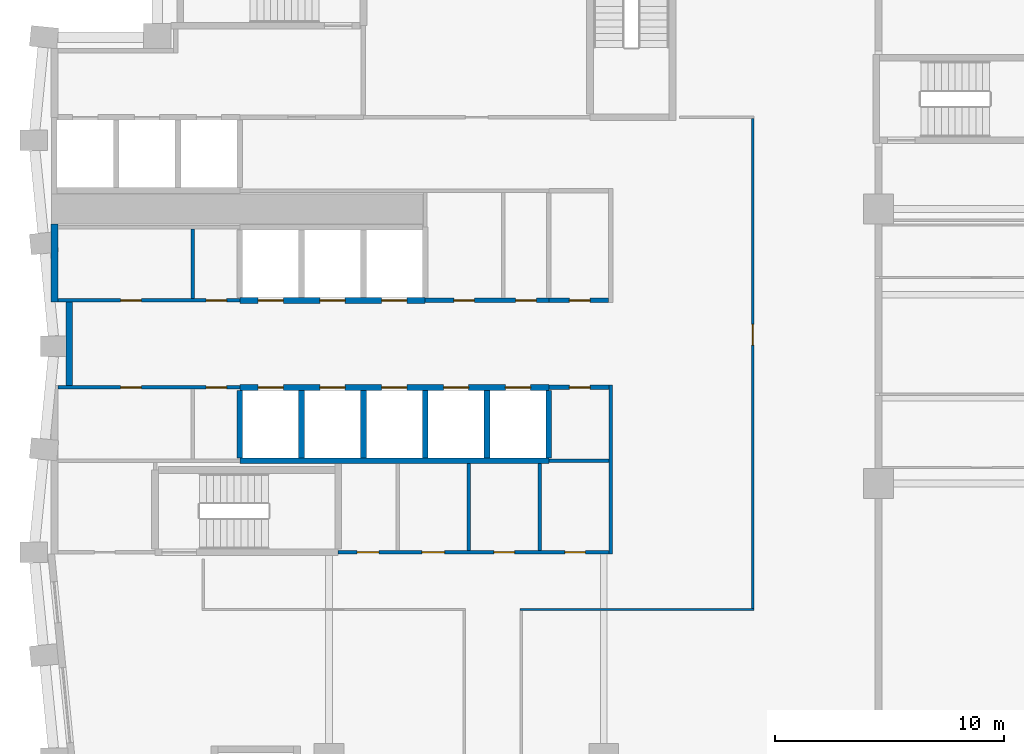
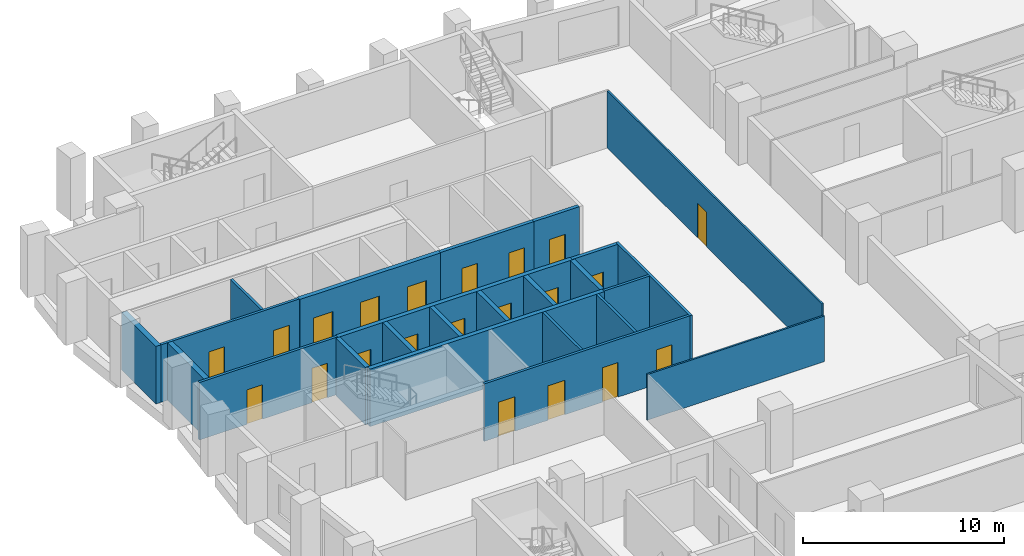
# One storey, part 5 of 11: 24 walls, 21 doors, 21 openings.
"""IFC4 building model written with IfcOpenShell, lengths in metres."""

from ifc_helpers import new_model, si_unit, direction, frame, frame_2d, origin, place, context, subcontext, project, spatial, rectangle, extrude, material, layer, layer_set, type_object, element, fill, save


model = new_model("IFC4")

# Units and contexts
model_context = context("Model", 3, precision=1e-05, world=origin(), true_north=direction((0.0, 1.0)))
body_context = subcontext(model_context, "Body", "Model", "MODEL_VIEW")
ifc_project = project(units=[si_unit("LENGTHUNIT", "METRE"), si_unit("AREAUNIT", "SQUARE_METRE"), si_unit("VOLUMEUNIT", "CUBIC_METRE"), si_unit("PLANEANGLEUNIT", "RADIAN"), si_unit("MASSUNIT", "GRAM", prefix="KILO")], contexts=[model_context])

# Site, building, storey
site_placement = place(None, origin())
site = spatial("IfcSite", under=ifc_project, at=site_placement, CompositionType="ELEMENT")
building_placement = place(site_placement, origin())
building = spatial("IfcBuilding", under=site, at=building_placement, Name="Brondeck Convention Tower", CompositionType="ELEMENT")
storey_placement = place(building_placement, frame((0.0, 0.0, 103.699951171875)))
storey = spatial("IfcBuildingStorey", under=building, at=storey_placement, Name="L24", CompositionType="ELEMENT", Elevation=103.699951171875)

# Wall, openings, doors
ifc_material_1 = material(Name="Concrete C70/85", Category="concrete")
ifc_layer_1 = layer(ifc_material_1, 0.14990234375)
ifc_layer_set_1 = layer_set([ifc_layer_1], Name="Core beam-seat wall 150 Concrete C70/85")
wall_type_1 = type_object("IfcWallType", Name="Core beam-seat wall 150 Concrete C70/85", PredefinedType="SHEAR", material=ifc_layer_set_1)
wall_1_placement = place(storey_placement, frame((12.39990234375, 36.0, 0.0), z_axis=(0.0, 0.0, 1.0), x_axis=(1.0, 0.0, 0.0)))
wall_1 = element("IfcWall", 1, at=wall_1_placement, inside=storey, type_object=wall_type_1, Name="L24 core wall", PredefinedType="SHEAR", context=body_context, shape_type="SweptSolid", body=[
    extrude(rectangle(XDim=11.8251953125, YDim=0.14990234375, at=frame_2d((5.91259765625, 0.0))), origin(), (0.0, 0.0, 1.0), 3.5),
])
opening_1_placement = place(wall_1_placement, frame((0.824951171875, 0.0, 0.0)))
opening_1 = element("IfcOpeningElement", 2, at=opening_1_placement, cuts=wall_1, Name="Opening C15-03", PredefinedType="OPENING", context=body_context, shape_type="SweptSolid", body=[
    extrude(rectangle(XDim=0.949951171875, YDim=2.10009765625, at=frame_2d((0.47509765625, 1.050048828125))), frame((0.0, 0.0849609375, 0.0), z_axis=(0.0, -1.0, 0.0), x_axis=(1.0, 0.0, 0.0)), (0.0, 0.0, 1.0), 0.169921875),
])
opening_2_placement = place(wall_1_placement, frame((3.64990234375, 0.0, 0.0)))
opening_2 = element("IfcOpeningElement", 3, at=opening_2_placement, cuts=wall_1, Name="Opening C15-04", PredefinedType="OPENING", context=body_context, shape_type="SweptSolid", body=[
    extrude(rectangle(XDim=1.0, YDim=2.10009765625, at=frame_2d((0.5, 1.050048828125))), frame((0.0, 0.0849609375, 0.0), z_axis=(0.0, -1.0, 0.0), x_axis=(1.0, 0.0, 0.0)), (0.0, 0.0, 1.0), 0.169921875),
])
opening_3_placement = place(wall_1_placement, frame((6.800048828125, 0.0, 0.0)))
opening_3 = element("IfcOpeningElement", 4, at=opening_3_placement, cuts=wall_1, Name="Opening C15-05", PredefinedType="OPENING", context=body_context, shape_type="SweptSolid", body=[
    extrude(rectangle(XDim=0.89990234375, YDim=2.10009765625, at=frame_2d((0.449951171875, 1.050048828125))), frame((0.0, 0.0849609375, 0.0), z_axis=(0.0, -1.0, 0.0), x_axis=(1.0, 0.0, 0.0)), (0.0, 0.0, 1.0), 0.169921875),
])
opening_4_placement = place(wall_1_placement, frame((9.89990234375, 0.0, 0.0)))
opening_4 = element("IfcOpeningElement", 5, at=opening_4_placement, cuts=wall_1, Name="Opening C15-06", PredefinedType="OPENING", context=body_context, shape_type="SweptSolid", body=[
    extrude(rectangle(XDim=0.89990234375, YDim=2.10009765625, at=frame_2d((0.449951171875, 1.050048828125))), frame((0.0, 0.0849609375, 0.0), z_axis=(0.0, -1.0, 0.0), x_axis=(1.0, 0.0, 0.0)), (0.0, 0.0, 1.0), 0.169921875),
])
ifc_material_2 = material(Name="Steel fire door", Category="steel")
door_type_1 = type_object("IfcDoorType", Name="Room door 1000x2100 EI 60", OperationType="NOTDEFINED", PredefinedType="DOOR", material=ifc_material_2)
door_1_placement = place(opening_2_placement, origin())
door_1 = element("IfcDoor", 6, at=door_1_placement, inside=storey, type_object=door_type_1, Name="L24 Room door FR-2", OperationType="SINGLE_SWING_LEFT", OverallHeight=2.10009765625, OverallWidth=1.0, PredefinedType="DOOR", context=body_context, shape_type="SweptSolid", body=[
    extrude(rectangle(XDim=1.0, YDim=2.10009765625, at=frame_2d((0.5, 1.050048828125))), frame((0.0, 0.02490234375, 0.0), z_axis=(0.0, -1.0, 0.0), x_axis=(1.0, 0.0, 0.0)), (0.0, 0.0, 1.0), 0.050048828125),
])
fill(opening_2, door_1)
door_type_2 = type_object("IfcDoorType", Name="Room door 900x2100 EI 60", OperationType="NOTDEFINED", PredefinedType="DOOR", material=ifc_material_2)
door_2_placement = place(opening_3_placement, origin())
door_2 = element("IfcDoor", 7, at=door_2_placement, inside=storey, type_object=door_type_2, Name="L24 Room door FR-3", OperationType="SINGLE_SWING_RIGHT", OverallHeight=2.10009765625, OverallWidth=0.89990234375, PredefinedType="DOOR", context=body_context, shape_type="SweptSolid", body=[
    extrude(rectangle(XDim=0.89990234375, YDim=2.10009765625, at=frame_2d((0.449951171875, 1.050048828125))), frame((0.0, 0.02490234375, 0.0), z_axis=(0.0, -1.0, 0.0), x_axis=(1.0, 0.0, 0.0)), (0.0, 0.0, 1.0), 0.050048828125),
])
fill(opening_3, door_2)
door_3_placement = place(opening_4_placement, origin())
door_3 = element("IfcDoor", 8, at=door_3_placement, inside=storey, type_object=door_type_2, Name="L24 Room door FR-4", OperationType="SINGLE_SWING_LEFT", OverallHeight=2.10009765625, OverallWidth=0.89990234375, PredefinedType="DOOR", context=body_context, shape_type="SweptSolid", body=[
    extrude(rectangle(XDim=0.89990234375, YDim=2.10009765625, at=frame_2d((0.449951171875, 1.050048828125))), frame((0.0, 0.02490234375, 0.0), z_axis=(0.0, -1.0, 0.0), x_axis=(1.0, 0.0, 0.0)), (0.0, 0.0, 1.0), 0.050048828125),
])
fill(opening_4, door_3)
door_type_3 = type_object("IfcDoorType", Name="Room door 950x2100 EI 60", OperationType="NOTDEFINED", PredefinedType="DOOR", material=ifc_material_2)
door_4_placement = place(opening_1_placement, origin())
door_4 = element("IfcDoor", 9, at=door_4_placement, inside=storey, type_object=door_type_3, Name="L24 Room door FR-1", OperationType="SINGLE_SWING_RIGHT", OverallHeight=2.10009765625, OverallWidth=0.949951171875, PredefinedType="DOOR", context=body_context, shape_type="SweptSolid", body=[
    extrude(rectangle(XDim=0.949951171875, YDim=2.10009765625, at=frame_2d((0.47509765625, 1.050048828125))), frame((0.0, 0.02490234375, 0.0), z_axis=(0.0, -1.0, 0.0), x_axis=(1.0, 0.0, 0.0)), (0.0, 0.0, 1.0), 0.050048828125),
])
fill(opening_1, door_4)

# Walls
ifc_layer_2 = layer(ifc_material_1, 0.300048828125)
ifc_layer_set_2 = layer_set([ifc_layer_2], Name="Core outer wall 300 Concrete C70/85")
wall_type_2 = type_object("IfcWallType", Name="Core outer wall 300 Concrete C70/85", PredefinedType="SHEAR", material=ifc_layer_set_2)
wall_2_placement = place(storey_placement, frame((0.0, 46.925048828125, 0.0), z_axis=(0.0, 0.0, 1.0), x_axis=(0.0, 1.0, 0.0)))
element("IfcWall", 10, at=wall_2_placement, inside=storey, type_object=wall_type_2, Name="L24 core wall", PredefinedType="SHEAR", context=body_context, shape_type="SweptSolid", body=[
    extrude(rectangle(XDim=3.425048828125, YDim=0.300048828125, at=frame_2d((1.71240234375, 0.0))), origin(), (0.0, 0.0, 1.0), 3.5),
])
wall_3_placement = place(storey_placement, frame((0.64990234375, 43.27490234375, 0.0), z_axis=(0.0, 0.0, 1.0), x_axis=(0.0, 1.0, 0.0)))
element("IfcWall", 11, at=wall_3_placement, inside=storey, type_object=wall_type_2, Name="L24 core wall", PredefinedType="SHEAR", context=body_context, shape_type="SweptSolid", body=[
    extrude(rectangle(XDim=3.650146484375, YDim=0.300048828125, at=frame_2d((1.8251953125, 0.0))), origin(), (0.0, 0.0, 1.0), 3.5),
])
ifc_material_3 = material(Name="Fire-rated gypsum board partition")
ifc_layer_3 = layer(ifc_material_3, 0.14990234375)
ifc_layer_set_3 = layer_set([ifc_layer_3], Name="Core partition 150 EI 60")
wall_type_3 = type_object("IfcWallType", Name="Core partition 150 EI 60", PredefinedType="PARTITIONING", material=ifc_layer_set_3)
wall_4_placement = place(storey_placement, frame((21.60009765625, 40.0, 0.0), z_axis=(0.0, 0.0, 1.0), x_axis=(1.0, 0.0, 0.0)))
element("IfcWall", 12, at=wall_4_placement, inside=storey, type_object=wall_type_3, Name="L24 core wall", PredefinedType="PARTITIONING", context=body_context, shape_type="SweptSolid", body=[
    extrude(rectangle(XDim=2.625, YDim=0.14990234375, at=frame_2d((1.3125, 0.0))), origin(), (0.0, 0.0, 1.0), 3.5),
])

# Wall, openings, doors
wall_5_placement = place(storey_placement, frame((0.14990234375, 43.199951171875, 0.0), z_axis=(0.0, 0.0, 1.0), x_axis=(1.0, 0.0, 0.0)))
wall_5 = element("IfcWall", 13, at=wall_5_placement, inside=storey, type_object=wall_type_3, Name="L24 core wall", PredefinedType="PARTITIONING", context=body_context, shape_type="SweptSolid", body=[
    extrude(rectangle(XDim=7.9501953125, YDim=0.14990234375, at=frame_2d((3.97509765625, 0.0))), origin(), (0.0, 0.0, 1.0), 3.5),
])
opening_5_placement = place(wall_5_placement, frame((2.75, 0.0, 0.0)))
opening_5 = element("IfcOpeningElement", 14, at=opening_5_placement, cuts=wall_5, Name="Opening C15-12", PredefinedType="OPENING", context=body_context, shape_type="SweptSolid", body=[
    extrude(rectangle(XDim=0.89990234375, YDim=2.10009765625, at=frame_2d((0.449951171875, 1.050048828125))), frame((0.0, 0.0849609375, 0.0), z_axis=(0.0, -1.0, 0.0), x_axis=(1.0, 0.0, 0.0)), (0.0, 0.0, 1.0), 0.169921875),
])
opening_6_placement = place(wall_5_placement, frame((6.47509765625, 0.0, 0.0)))
opening_6 = element("IfcOpeningElement", 15, at=opening_6_placement, cuts=wall_5, Name="Opening C15-13", PredefinedType="OPENING", context=body_context, shape_type="SweptSolid", body=[
    extrude(rectangle(XDim=0.89990234375, YDim=2.10009765625, at=frame_2d((0.449951171875, 1.050048828125))), frame((0.0, 0.0849609375, 0.0), z_axis=(0.0, -1.0, 0.0), x_axis=(1.0, 0.0, 0.0)), (0.0, 0.0, 1.0), 0.169921875),
])
door_5_placement = place(opening_5_placement, origin())
door_5 = element("IfcDoor", 16, at=door_5_placement, inside=storey, type_object=door_type_2, Name="L24 Room door FZ-S-0-1", OperationType="SINGLE_SWING_LEFT", OverallHeight=2.10009765625, OverallWidth=0.89990234375, PredefinedType="DOOR", context=body_context, shape_type="SweptSolid", body=[
    extrude(rectangle(XDim=0.89990234375, YDim=2.10009765625, at=frame_2d((0.449951171875, 1.050048828125))), frame((0.0, 0.02490234375, 0.0), z_axis=(0.0, -1.0, 0.0), x_axis=(1.0, 0.0, 0.0)), (0.0, 0.0, 1.0), 0.050048828125),
])
fill(opening_5, door_5)
door_6_placement = place(opening_6_placement, origin())
door_6 = element("IfcDoor", 17, at=door_6_placement, inside=storey, type_object=door_type_2, Name="L24 Room door FZ-S-0-2", OperationType="SINGLE_SWING_RIGHT", OverallHeight=2.10009765625, OverallWidth=0.89990234375, PredefinedType="DOOR", context=body_context, shape_type="SweptSolid", body=[
    extrude(rectangle(XDim=0.89990234375, YDim=2.10009765625, at=frame_2d((0.449951171875, 1.050048828125))), frame((0.0, 0.02490234375, 0.0), z_axis=(0.0, -1.0, 0.0), x_axis=(1.0, 0.0, 0.0)), (0.0, 0.0, 1.0), 0.050048828125),
])
fill(opening_6, door_6)

wall_6_placement = place(storey_placement, frame((0.14990234375, 47.0, 0.0), z_axis=(0.0, 0.0, 1.0), x_axis=(1.0, 0.0, 0.0)))
wall_6 = element("IfcWall", 18, at=wall_6_placement, inside=storey, type_object=wall_type_3, Name="L24 core wall", PredefinedType="PARTITIONING", context=body_context, shape_type="SweptSolid", body=[
    extrude(rectangle(XDim=7.9501953125, YDim=0.14990234375, at=frame_2d((3.97509765625, 0.0))), origin(), (0.0, 0.0, 1.0), 3.5),
])
opening_7_placement = place(wall_6_placement, frame((2.75, 0.0, 0.0)))
opening_7 = element("IfcOpeningElement", 19, at=opening_7_placement, cuts=wall_6, Name="Opening C15-08", PredefinedType="OPENING", context=body_context, shape_type="SweptSolid", body=[
    extrude(rectangle(XDim=0.89990234375, YDim=2.10009765625, at=frame_2d((0.449951171875, 1.050048828125))), frame((0.0, 0.0849609375, 0.0), z_axis=(0.0, -1.0, 0.0), x_axis=(1.0, 0.0, 0.0)), (0.0, 0.0, 1.0), 0.169921875),
])
opening_8_placement = place(wall_6_placement, frame((6.47509765625, 0.0, 0.0)))
opening_8 = element("IfcOpeningElement", 20, at=opening_8_placement, cuts=wall_6, Name="Opening C15-09", PredefinedType="OPENING", context=body_context, shape_type="SweptSolid", body=[
    extrude(rectangle(XDim=0.89990234375, YDim=2.10009765625, at=frame_2d((0.449951171875, 1.050048828125))), frame((0.0, 0.0849609375, 0.0), z_axis=(0.0, -1.0, 0.0), x_axis=(1.0, 0.0, 0.0)), (0.0, 0.0, 1.0), 0.169921875),
])
door_7_placement = place(opening_7_placement, origin())
door_7 = element("IfcDoor", 21, at=door_7_placement, inside=storey, type_object=door_type_2, Name="L24 Room door FZ-N-0-1", OperationType="SINGLE_SWING_RIGHT", OverallHeight=2.10009765625, OverallWidth=0.89990234375, PredefinedType="DOOR", context=body_context, shape_type="SweptSolid", body=[
    extrude(rectangle(XDim=0.89990234375, YDim=2.10009765625, at=frame_2d((0.449951171875, 1.050048828125))), frame((0.0, 0.02490234375, 0.0), z_axis=(0.0, -1.0, 0.0), x_axis=(1.0, 0.0, 0.0)), (0.0, 0.0, 1.0), 0.050048828125),
])
fill(opening_7, door_7)
door_8_placement = place(opening_8_placement, origin())
door_8 = element("IfcDoor", 22, at=door_8_placement, inside=storey, type_object=door_type_2, Name="L24 Room door FZ-N-0-2", OperationType="SINGLE_SWING_LEFT", OverallHeight=2.10009765625, OverallWidth=0.89990234375, PredefinedType="DOOR", context=body_context, shape_type="SweptSolid", body=[
    extrude(rectangle(XDim=0.89990234375, YDim=2.10009765625, at=frame_2d((0.449951171875, 1.050048828125))), frame((0.0, 0.02490234375, 0.0), z_axis=(0.0, -1.0, 0.0), x_axis=(1.0, 0.0, 0.0)), (0.0, 0.0, 1.0), 0.050048828125),
])
fill(opening_8, door_8)

# Walls
wall_7_placement = place(storey_placement, frame((6.050048828125, 47.074951171875, 0.0), z_axis=(0.0, 0.0, 1.0), x_axis=(0.0, 1.0, 0.0)))
element("IfcWall", 23, at=wall_7_placement, inside=storey, type_object=wall_type_3, Name="L24 core wall", PredefinedType="PARTITIONING", context=body_context, shape_type="SweptSolid", body=[
    extrude(rectangle(XDim=3.050048828125, YDim=0.14990234375, at=frame_2d((1.52490234375, 0.0))), origin(), (0.0, 0.0, 1.0), 3.5),
])
for number, where, z_axis, x_axis, name in (
    (24, (18.10009765625, 36.074951171875, 0.0), (0.0, 0.0, 1.0), (0.0, 1.0, 0.0), "L24 core wall"),
    (25, (21.199951171875, 36.074951171875, 0.0), (0.0, 0.0, 1.0), (0.0, 1.0, 0.0), "L24 core wall"),
):
    element("IfcWall", number, at=place(storey_placement, frame(where, z_axis=z_axis, x_axis=x_axis)), inside=storey, type_object=wall_type_3, Name=name, PredefinedType="PARTITIONING", context=body_context, shape_type="SweptSolid", body=[
        extrude(rectangle(XDim=3.800048828125, YDim=0.14990234375, at=frame_2d((1.89990234375, 0.0))), origin(), (0.0, 0.0, 1.0), 3.5),
    ])
wall_8_placement = place(storey_placement, frame((24.300048828125, 35.925048828125, 0.0), z_axis=(0.0, 0.0, 1.0), x_axis=(0.0, 1.0, 0.0)))
element("IfcWall", 26, at=wall_8_placement, inside=storey, type_object=wall_type_3, Name="L24 core wall", PredefinedType="PARTITIONING", context=body_context, shape_type="SweptSolid", body=[
    extrude(rectangle(XDim=7.375, YDim=0.14990234375, at=frame_2d((3.6875, 0.0))), origin(), (0.0, 0.0, 1.0), 3.5),
])

# Wall, opening, door
ifc_layer_4 = layer(ifc_material_3, 0.199951171875)
ifc_layer_set_4 = layer_set([ifc_layer_4], Name="Lift lobby wall 200 EI 60")
wall_type_4 = type_object("IfcWallType", Name="Lift lobby wall 200 EI 60", PredefinedType="PARTITIONING", material=ifc_layer_set_4)
wall_9_placement = place(storey_placement, frame((21.60009765625, 43.199951171875, 0.0), z_axis=(0.0, 0.0, 1.0), x_axis=(1.0, 0.0, 0.0)))
wall_9 = element("IfcWall", 27, at=wall_9_placement, inside=storey, type_object=wall_type_4, Name="L24 core wall", PredefinedType="PARTITIONING", context=body_context, shape_type="SweptSolid", body=[
    extrude(rectangle(XDim=2.625, YDim=0.199951171875, at=frame_2d((1.3125, 0.0))), origin(), (0.0, 0.0, 1.0), 3.5),
])
opening_9_placement = place(wall_9_placement, frame((0.89990234375, 0.0, 0.0)))
opening_9 = element("IfcOpeningElement", 28, at=opening_9_placement, cuts=wall_9, Name="Opening C15-14", PredefinedType="OPENING", context=body_context, shape_type="SweptSolid", body=[
    extrude(rectangle(XDim=0.89990234375, YDim=2.10009765625, at=frame_2d((0.449951171875, 1.050048828125))), frame((0.0, 0.10986328125, 0.0), z_axis=(0.0, -1.0, 0.0), x_axis=(1.0, 0.0, 0.0)), (0.0, 0.0, 1.0), 0.219970703125),
])
door_9_placement = place(opening_9_placement, origin())
door_9 = element("IfcDoor", 29, at=door_9_placement, inside=storey, type_object=door_type_2, Name="L24 Room door FZ-S-21.6-1", OperationType="SINGLE_SWING_RIGHT", OverallHeight=2.10009765625, OverallWidth=0.89990234375, PredefinedType="DOOR", context=body_context, shape_type="SweptSolid", body=[
    extrude(rectangle(XDim=0.89990234375, YDim=2.10009765625, at=frame_2d((0.449951171875, 1.050048828125))), frame((0.0, 0.02490234375, 0.0), z_axis=(0.0, -1.0, 0.0), x_axis=(1.0, 0.0, 0.0)), (0.0, 0.0, 1.0), 0.050048828125),
])
fill(opening_9, door_9)

# Wall, openings, doors
wall_10_placement = place(storey_placement, frame((16.199951171875, 47.0, 0.0), z_axis=(0.0, 0.0, 1.0), x_axis=(1.0, 0.0, 0.0)))
wall_10 = element("IfcWall", 30, at=wall_10_placement, inside=storey, type_object=wall_type_4, Name="L24 core wall", PredefinedType="PARTITIONING", context=body_context, shape_type="SweptSolid", body=[
    extrude(rectangle(XDim=5.400146484375, YDim=0.199951171875, at=frame_2d((2.7001953125, 0.0))), origin(), (0.0, 0.0, 1.0), 3.5),
])
opening_10_placement = place(wall_10_placement, frame((1.25, 0.0, 0.0)))
opening_10 = element("IfcOpeningElement", 31, at=opening_10_placement, cuts=wall_10, Name="Opening C15-10", PredefinedType="OPENING", context=body_context, shape_type="SweptSolid", body=[
    extrude(rectangle(XDim=0.89990234375, YDim=2.10009765625, at=frame_2d((0.449951171875, 1.050048828125))), frame((0.0, 0.10986328125, 0.0), z_axis=(0.0, -1.0, 0.0), x_axis=(1.0, 0.0, 0.0)), (0.0, 0.0, 1.0), 0.219970703125),
])
opening_11_placement = place(wall_10_placement, frame((3.949951171875, 0.0, 0.0)))
opening_11 = element("IfcOpeningElement", 32, at=opening_11_placement, cuts=wall_10, Name="Opening C15-11", PredefinedType="OPENING", context=body_context, shape_type="SweptSolid", body=[
    extrude(rectangle(XDim=0.89990234375, YDim=2.10009765625, at=frame_2d((0.449951171875, 1.050048828125))), frame((0.0, 0.10986328125, 0.0), z_axis=(0.0, -1.0, 0.0), x_axis=(1.0, 0.0, 0.0)), (0.0, 0.0, 1.0), 0.219970703125),
])
door_10_placement = place(opening_10_placement, origin())
door_10 = element("IfcDoor", 33, at=door_10_placement, inside=storey, type_object=door_type_2, Name="L24 Room door FZ-N-16.2-1", OperationType="SINGLE_SWING_LEFT", OverallHeight=2.10009765625, OverallWidth=0.89990234375, PredefinedType="DOOR", context=body_context, shape_type="SweptSolid", body=[
    extrude(rectangle(XDim=0.89990234375, YDim=2.10009765625, at=frame_2d((0.449951171875, 1.050048828125))), frame((0.0, 0.02490234375, 0.0), z_axis=(0.0, -1.0, 0.0), x_axis=(1.0, 0.0, 0.0)), (0.0, 0.0, 1.0), 0.050048828125),
])
fill(opening_10, door_10)
door_11_placement = place(opening_11_placement, origin())
door_11 = element("IfcDoor", 34, at=door_11_placement, inside=storey, type_object=door_type_2, Name="L24 Room door FZ-N-16.2-2", OperationType="SINGLE_SWING_RIGHT", OverallHeight=2.10009765625, OverallWidth=0.89990234375, PredefinedType="DOOR", context=body_context, shape_type="SweptSolid", body=[
    extrude(rectangle(XDim=0.89990234375, YDim=2.10009765625, at=frame_2d((0.449951171875, 1.050048828125))), frame((0.0, 0.02490234375, 0.0), z_axis=(0.0, -1.0, 0.0), x_axis=(1.0, 0.0, 0.0)), (0.0, 0.0, 1.0), 0.050048828125),
])
fill(opening_11, door_11)

# Wall
ifc_layer_5 = layer(ifc_material_1, 0.25)
ifc_layer_set_5 = layer_set([ifc_layer_5], Name="Lift shaft wall 250 Concrete C70/85")
wall_type_5 = type_object("IfcWallType", Name="Lift shaft wall 250 Concrete C70/85", PredefinedType="SHEAR", material=ifc_layer_set_5)
wall_11_placement = place(storey_placement, frame((8.10009765625, 40.0, 0.0), z_axis=(0.0, 0.0, 1.0), x_axis=(1.0, 0.0, 0.0)))
element("IfcWall", 35, at=wall_11_placement, inside=storey, type_object=wall_type_5, Name="L24 core wall", PredefinedType="SHEAR", context=body_context, shape_type="SweptSolid", body=[
    extrude(rectangle(XDim=13.5, YDim=0.25, at=frame_2d((6.75, 0.0))), origin(), (0.0, 0.0, 1.0), 3.5),
])

# Wall, openings, doors
wall_12_placement = place(storey_placement, frame((8.10009765625, 43.199951171875, 0.0), z_axis=(0.0, 0.0, 1.0), x_axis=(1.0, 0.0, 0.0)))
wall_12 = element("IfcWall", 36, at=wall_12_placement, inside=storey, type_object=wall_type_5, Name="L24 core wall", PredefinedType="SHEAR", context=body_context, shape_type="SweptSolid", body=[
    extrude(rectangle(XDim=13.5, YDim=0.25, at=frame_2d((6.75, 0.0))), origin(), (0.0, 0.0, 1.0), 3.5),
])
opening_12_placement = place(wall_12_placement, frame((0.800048828125, 0.0, 0.0)))
opening_12 = element("IfcOpeningElement", 37, at=opening_12_placement, cuts=wall_12, Name="Opening C15-26", PredefinedType="OPENING", context=body_context, shape_type="SweptSolid", body=[
    extrude(rectangle(XDim=1.10009765625, YDim=2.10009765625, at=frame_2d((0.550048828125, 1.050048828125))), frame((0.0, 0.135009765625, 0.0), z_axis=(0.0, -1.0, 0.0), x_axis=(1.0, 0.0, 0.0)), (0.0, 0.0, 1.0), 0.27001953125),
])
opening_13_placement = place(wall_12_placement, frame((3.5, 0.0, 0.0)))
opening_13 = element("IfcOpeningElement", 38, at=opening_13_placement, cuts=wall_12, Name="Opening C15-27", PredefinedType="OPENING", context=body_context, shape_type="SweptSolid", body=[
    extrude(rectangle(XDim=1.10009765625, YDim=2.10009765625, at=frame_2d((0.550048828125, 1.050048828125))), frame((0.0, 0.135009765625, 0.0), z_axis=(0.0, -1.0, 0.0), x_axis=(1.0, 0.0, 0.0)), (0.0, 0.0, 1.0), 0.27001953125),
])
opening_14_placement = place(wall_12_placement, frame((6.199951171875, 0.0, 0.0)))
opening_14 = element("IfcOpeningElement", 39, at=opening_14_placement, cuts=wall_12, Name="Opening C15-28", PredefinedType="OPENING", context=body_context, shape_type="SweptSolid", body=[
    extrude(rectangle(XDim=1.10009765625, YDim=2.10009765625, at=frame_2d((0.550048828125, 1.050048828125))), frame((0.0, 0.135009765625, 0.0), z_axis=(0.0, -1.0, 0.0), x_axis=(1.0, 0.0, 0.0)), (0.0, 0.0, 1.0), 0.27001953125),
])
opening_15_placement = place(wall_12_placement, frame((8.89990234375, 0.0, 0.0)))
opening_15 = element("IfcOpeningElement", 40, at=opening_15_placement, cuts=wall_12, Name="Opening C15-32", PredefinedType="OPENING", context=body_context, shape_type="SweptSolid", body=[
    extrude(rectangle(XDim=1.10009765625, YDim=2.10009765625, at=frame_2d((0.550048828125, 1.050048828125))), frame((0.0, 0.135009765625, 0.0), z_axis=(0.0, -1.0, 0.0), x_axis=(1.0, 0.0, 0.0)), (0.0, 0.0, 1.0), 0.27001953125),
])
opening_16_placement = place(wall_12_placement, frame((11.60009765625, 0.0, 0.0)))
opening_16 = element("IfcOpeningElement", 41, at=opening_16_placement, cuts=wall_12, Name="Opening C15-33", PredefinedType="OPENING", context=body_context, shape_type="SweptSolid", body=[
    extrude(rectangle(XDim=1.10009765625, YDim=2.10009765625, at=frame_2d((0.550048828125, 1.050048828125))), frame((0.0, 0.135009765625, 0.0), z_axis=(0.0, -1.0, 0.0), x_axis=(1.0, 0.0, 0.0)), (0.0, 0.0, 1.0), 0.27001953125),
])
ifc_material_4 = material(Name="Stainless steel lift door", Category="steel")
door_type_4 = type_object("IfcDoorType", Name="Lift landing door 1100x2100 EI 180", OperationType="DOUBLE_DOOR_SLIDING", PredefinedType="DOOR", material=ifc_material_4)
door_12_placement = place(opening_12_placement, origin())
door_12 = element("IfcDoor", 42, at=door_12_placement, inside=storey, type_object=door_type_4, Name="L24 Lift landing door LR1", OperationType="DOUBLE_DOOR_SLIDING", OverallHeight=2.10009765625, OverallWidth=1.10009765625, PredefinedType="DOOR", context=body_context, shape_type="SweptSolid", body=[
    extrude(rectangle(XDim=1.10009765625, YDim=2.10009765625, at=frame_2d((0.550048828125, 1.050048828125))), frame((0.0, 0.02490234375, 0.0), z_axis=(0.0, -1.0, 0.0), x_axis=(1.0, 0.0, 0.0)), (0.0, 0.0, 1.0), 0.050048828125),
])
fill(opening_12, door_12)
door_13_placement = place(opening_13_placement, origin())
door_13 = element("IfcDoor", 43, at=door_13_placement, inside=storey, type_object=door_type_4, Name="L24 Lift landing door LR2", OperationType="DOUBLE_DOOR_SLIDING", OverallHeight=2.10009765625, OverallWidth=1.10009765625, PredefinedType="DOOR", context=body_context, shape_type="SweptSolid", body=[
    extrude(rectangle(XDim=1.10009765625, YDim=2.10009765625, at=frame_2d((0.550048828125, 1.050048828125))), frame((0.0, 0.02490234375, 0.0), z_axis=(0.0, -1.0, 0.0), x_axis=(1.0, 0.0, 0.0)), (0.0, 0.0, 1.0), 0.050048828125),
])
fill(opening_13, door_13)
door_14_placement = place(opening_14_placement, origin())
door_14 = element("IfcDoor", 44, at=door_14_placement, inside=storey, type_object=door_type_4, Name="L24 Lift landing door LR3", OperationType="DOUBLE_DOOR_SLIDING", OverallHeight=2.10009765625, OverallWidth=1.10009765625, PredefinedType="DOOR", context=body_context, shape_type="SweptSolid", body=[
    extrude(rectangle(XDim=1.10009765625, YDim=2.10009765625, at=frame_2d((0.550048828125, 1.050048828125))), frame((0.0, 0.02490234375, 0.0), z_axis=(0.0, -1.0, 0.0), x_axis=(1.0, 0.0, 0.0)), (0.0, 0.0, 1.0), 0.050048828125),
])
fill(opening_14, door_14)
door_15_placement = place(opening_15_placement, origin())
door_15 = element("IfcDoor", 45, at=door_15_placement, inside=storey, type_object=door_type_4, Name="L24 Lift landing door SH1", OperationType="DOUBLE_DOOR_SLIDING", OverallHeight=2.10009765625, OverallWidth=1.10009765625, PredefinedType="DOOR", context=body_context, shape_type="SweptSolid", body=[
    extrude(rectangle(XDim=1.10009765625, YDim=2.10009765625, at=frame_2d((0.550048828125, 1.050048828125))), frame((0.0, 0.02490234375, 0.0), z_axis=(0.0, -1.0, 0.0), x_axis=(1.0, 0.0, 0.0)), (0.0, 0.0, 1.0), 0.050048828125),
])
fill(opening_15, door_15)
door_16_placement = place(opening_16_placement, origin())
door_16 = element("IfcDoor", 46, at=door_16_placement, inside=storey, type_object=door_type_4, Name="L24 Lift landing door SH2", OperationType="DOUBLE_DOOR_SLIDING", OverallHeight=2.10009765625, OverallWidth=1.10009765625, PredefinedType="DOOR", context=body_context, shape_type="SweptSolid", body=[
    extrude(rectangle(XDim=1.10009765625, YDim=2.10009765625, at=frame_2d((0.550048828125, 1.050048828125))), frame((0.0, 0.02490234375, 0.0), z_axis=(0.0, -1.0, 0.0), x_axis=(1.0, 0.0, 0.0)), (0.0, 0.0, 1.0), 0.050048828125),
])
fill(opening_16, door_16)

wall_13_placement = place(storey_placement, frame((8.10009765625, 47.0, 0.0), z_axis=(0.0, 0.0, 1.0), x_axis=(1.0, 0.0, 0.0)))
wall_13 = element("IfcWall", 47, at=wall_13_placement, inside=storey, type_object=wall_type_5, Name="L24 core wall", PredefinedType="SHEAR", context=body_context, shape_type="SweptSolid", body=[
    extrude(rectangle(XDim=8.099853515625, YDim=0.25, at=frame_2d((4.0498046875, 0.0))), origin(), (0.0, 0.0, 1.0), 3.5),
])
opening_17_placement = place(wall_13_placement, frame((0.800048828125, 0.0, 0.0)))
opening_17 = element("IfcOpeningElement", 48, at=opening_17_placement, cuts=wall_13, Name="Opening C15-29", PredefinedType="OPENING", context=body_context, shape_type="SweptSolid", body=[
    extrude(rectangle(XDim=1.10009765625, YDim=2.10009765625, at=frame_2d((0.550048828125, 1.050048828125))), frame((0.0, 0.135009765625, 0.0), z_axis=(0.0, -1.0, 0.0), x_axis=(1.0, 0.0, 0.0)), (0.0, 0.0, 1.0), 0.27001953125),
])
opening_18_placement = place(wall_13_placement, frame((3.5, 0.0, 0.0)))
opening_18 = element("IfcOpeningElement", 49, at=opening_18_placement, cuts=wall_13, Name="Opening C15-30", PredefinedType="OPENING", context=body_context, shape_type="SweptSolid", body=[
    extrude(rectangle(XDim=1.10009765625, YDim=2.10009765625, at=frame_2d((0.550048828125, 1.050048828125))), frame((0.0, 0.135009765625, 0.0), z_axis=(0.0, -1.0, 0.0), x_axis=(1.0, 0.0, 0.0)), (0.0, 0.0, 1.0), 0.27001953125),
])
opening_19_placement = place(wall_13_placement, frame((6.199951171875, 0.0, 0.0)))
opening_19 = element("IfcOpeningElement", 50, at=opening_19_placement, cuts=wall_13, Name="Opening C15-31", PredefinedType="OPENING", context=body_context, shape_type="SweptSolid", body=[
    extrude(rectangle(XDim=1.10009765625, YDim=2.10009765625, at=frame_2d((0.550048828125, 1.050048828125))), frame((0.0, 0.135009765625, 0.0), z_axis=(0.0, -1.0, 0.0), x_axis=(1.0, 0.0, 0.0)), (0.0, 0.0, 1.0), 0.27001953125),
])
door_17_placement = place(opening_17_placement, origin())
door_17 = element("IfcDoor", 51, at=door_17_placement, inside=storey, type_object=door_type_4, Name="L24 Lift landing door LR4", OperationType="DOUBLE_DOOR_SLIDING", OverallHeight=2.10009765625, OverallWidth=1.10009765625, PredefinedType="DOOR", context=body_context, shape_type="SweptSolid", body=[
    extrude(rectangle(XDim=1.10009765625, YDim=2.10009765625, at=frame_2d((0.550048828125, 1.050048828125))), frame((0.0, 0.02490234375, 0.0), z_axis=(0.0, -1.0, 0.0), x_axis=(1.0, 0.0, 0.0)), (0.0, 0.0, 1.0), 0.050048828125),
])
fill(opening_17, door_17)
door_18_placement = place(opening_18_placement, origin())
door_18 = element("IfcDoor", 52, at=door_18_placement, inside=storey, type_object=door_type_4, Name="L24 Lift landing door LR5", OperationType="DOUBLE_DOOR_SLIDING", OverallHeight=2.10009765625, OverallWidth=1.10009765625, PredefinedType="DOOR", context=body_context, shape_type="SweptSolid", body=[
    extrude(rectangle(XDim=1.10009765625, YDim=2.10009765625, at=frame_2d((0.550048828125, 1.050048828125))), frame((0.0, 0.02490234375, 0.0), z_axis=(0.0, -1.0, 0.0), x_axis=(1.0, 0.0, 0.0)), (0.0, 0.0, 1.0), 0.050048828125),
])
fill(opening_18, door_18)
door_19_placement = place(opening_19_placement, origin())
door_19 = element("IfcDoor", 53, at=door_19_placement, inside=storey, type_object=door_type_4, Name="L24 Lift landing door LR6", OperationType="DOUBLE_DOOR_SLIDING", OverallHeight=2.10009765625, OverallWidth=1.10009765625, PredefinedType="DOOR", context=body_context, shape_type="SweptSolid", body=[
    extrude(rectangle(XDim=1.10009765625, YDim=2.10009765625, at=frame_2d((0.550048828125, 1.050048828125))), frame((0.0, 0.02490234375, 0.0), z_axis=(0.0, -1.0, 0.0), x_axis=(1.0, 0.0, 0.0)), (0.0, 0.0, 1.0), 0.050048828125),
])
fill(opening_19, door_19)

# Walls
for number, where, z_axis, x_axis, name in (
    (54, (8.10009765625, 40.125, 0.0), (0.0, 0.0, 1.0), (0.0, 1.0, 0.0), "L24 core wall"),
    (55, (10.800048828125, 40.125, 0.0), (0.0, 0.0, 1.0), (0.0, 1.0, 0.0), "L24 core wall"),
    (56, (13.5, 40.125, 0.0), (0.0, 0.0, 1.0), (0.0, 1.0, 0.0), "L24 core wall"),
    (57, (16.199951171875, 40.125, 0.0), (0.0, 0.0, 1.0), (0.0, 1.0, 0.0), "L24 core wall"),
    (58, (18.89990234375, 40.125, 0.0), (0.0, 0.0, 1.0), (0.0, 1.0, 0.0), "L24 core wall"),
    (59, (21.60009765625, 40.125, 0.0), (0.0, 0.0, 1.0), (0.0, 1.0, 0.0), "L24 core wall"),
):
    element("IfcWall", number, at=place(storey_placement, frame(where, z_axis=z_axis, x_axis=x_axis)), inside=storey, type_object=wall_type_5, Name=name, PredefinedType="SHEAR", context=body_context, shape_type="SweptSolid", body=[
        extrude(rectangle(XDim=2.949951171875, YDim=0.25, at=frame_2d((1.47509765625, 0.0))), origin(), (0.0, 0.0, 1.0), 3.5),
    ])

# Wall, opening, door
ifc_layer_6 = layer(ifc_material_3, 0.199951171875)
ifc_layer_set_6 = layer_set([ifc_layer_6], Name="Riser wall 200 EI 120")
wall_type_6 = type_object("IfcWallType", Name="Riser wall 200 EI 120", PredefinedType="PARTITIONING", material=ifc_layer_set_6)
wall_14_placement = place(storey_placement, frame((21.60009765625, 47.0, 0.0), z_axis=(0.0, 0.0, 1.0), x_axis=(1.0, 0.0, 0.0)))
wall_14 = element("IfcWall", 60, at=wall_14_placement, inside=storey, type_object=wall_type_6, Name="L24 core wall", PredefinedType="PARTITIONING", context=body_context, shape_type="SweptSolid", body=[
    extrude(rectangle(XDim=2.599853515625, YDim=0.199951171875, at=frame_2d((1.2998046875, 0.0))), origin(), (0.0, 0.0, 1.0), 3.5),
])
opening_20_placement = place(wall_14_placement, frame((0.89990234375, 0.0, 0.0)))
opening_20 = element("IfcOpeningElement", 61, at=opening_20_placement, cuts=wall_14, Name="Opening C15-02", PredefinedType="OPENING", context=body_context, shape_type="SweptSolid", body=[
    extrude(rectangle(XDim=0.89990234375, YDim=2.10009765625, at=frame_2d((0.449951171875, 1.050048828125))), frame((0.0, 0.10986328125, 0.0), z_axis=(0.0, -1.0, 0.0), x_axis=(1.0, 0.0, 0.0)), (0.0, 0.0, 1.0), 0.219970703125),
])
door_type_5 = type_object("IfcDoorType", Name="Riser door 900x2100 EI 120", OperationType="NOTDEFINED", PredefinedType="DOOR", material=ifc_material_2)
door_20_placement = place(opening_20_placement, origin())
door_20 = element("IfcDoor", 62, at=door_20_placement, inside=storey, type_object=door_type_5, Name="L24 Riser door EN-1", OperationType="SINGLE_SWING_LEFT", OverallHeight=2.10009765625, OverallWidth=0.89990234375, PredefinedType="DOOR", context=body_context, shape_type="SweptSolid", body=[
    extrude(rectangle(XDim=0.89990234375, YDim=2.10009765625, at=frame_2d((0.449951171875, 1.050048828125))), frame((0.0, 0.02490234375, 0.0), z_axis=(0.0, -1.0, 0.0), x_axis=(1.0, 0.0, 0.0)), (0.0, 0.0, 1.0), 0.050048828125),
])
fill(opening_20, door_20)

# Wall
ifc_material_5 = material(Name="Gypsum board partition on steel studs", Category="steel")
ifc_layer_7 = layer(ifc_material_5, 0.10009765625)
ifc_layer_set_7 = layer_set([ifc_layer_7], Name="Room partition 100")
wall_type_7 = type_object("IfcWallType", Name="Room partition 100", PredefinedType="PARTITIONING", material=ifc_layer_set_7)
wall_15_placement = place(storey_placement, frame((30.550048828125, 33.5, 0.0), z_axis=(0.0, 0.0, 1.0), x_axis=(-1.0, 0.0, 0.0)))
element("IfcWall", 63, at=wall_15_placement, inside=storey, type_object=wall_type_7, Name="FLR-L24-W030", PredefinedType="PARTITIONING", context=body_context, shape_type="SweptSolid", body=[
    extrude(rectangle(XDim=10.199951171875, YDim=0.10009765625, at=frame_2d((5.10009765625, 0.0))), origin(), (0.0, 0.0, 1.0), 2.780029296875),
])

# Wall, opening, door
wall_16_placement = place(storey_placement, frame((30.5, 54.949951171875, 0.0), z_axis=(0.0, 0.0, 1.0), x_axis=(0.0, -1.0, 0.0)))
wall_16 = element("IfcWall", 64, at=wall_16_placement, inside=storey, type_object=wall_type_7, Name="FLR-L24-W072", PredefinedType="PARTITIONING", context=body_context, shape_type="SweptSolid", body=[
    extrude(rectangle(XDim=21.39990234375, YDim=0.10009765625, at=frame_2d((10.699951171875, 0.0))), origin(), (0.0, 0.0, 1.0), 3.47998046875),
])
opening_21_placement = place(wall_16_placement, frame((9.0, 0.0, 0.0)))
opening_21 = element("IfcOpeningElement", 65, at=opening_21_placement, cuts=wall_16, Name="Opening OF-B-020", PredefinedType="OPENING", context=body_context, shape_type="SweptSolid", body=[
    extrude(rectangle(XDim=0.89990234375, YDim=2.10009765625, at=frame_2d((0.449951171875, 1.050048828125))), frame((0.0, 0.06005859375, 0.0), z_axis=(0.0, -1.0, 0.0), x_axis=(1.0, 0.0, 0.0)), (0.0, 0.0, 1.0), 0.1201171875),
])
ifc_material_6 = material(Name="Solid timber door leaf", Category="wood")
door_type_6 = type_object("IfcDoorType", Name="Single door 900", OperationType="NOTDEFINED", PredefinedType="DOOR", material=ifc_material_6)
door_21_placement = place(opening_21_placement, origin())
door_21 = element("IfcDoor", 66, at=door_21_placement, inside=storey, type_object=door_type_6, Name="Door OF-B-020", OperationType="SINGLE_SWING_LEFT", OverallHeight=2.10009765625, OverallWidth=0.89990234375, PredefinedType="DOOR", context=body_context, shape_type="SweptSolid", body=[
    extrude(rectangle(XDim=0.89990234375, YDim=2.10009765625, at=frame_2d((0.449951171875, 1.050048828125))), frame((0.0, 0.02490234375, 0.0), z_axis=(0.0, -1.0, 0.0), x_axis=(1.0, 0.0, 0.0)), (0.0, 0.0, 1.0), 0.050048828125),
])
fill(opening_21, door_21)

save(model, "model.ifc")
